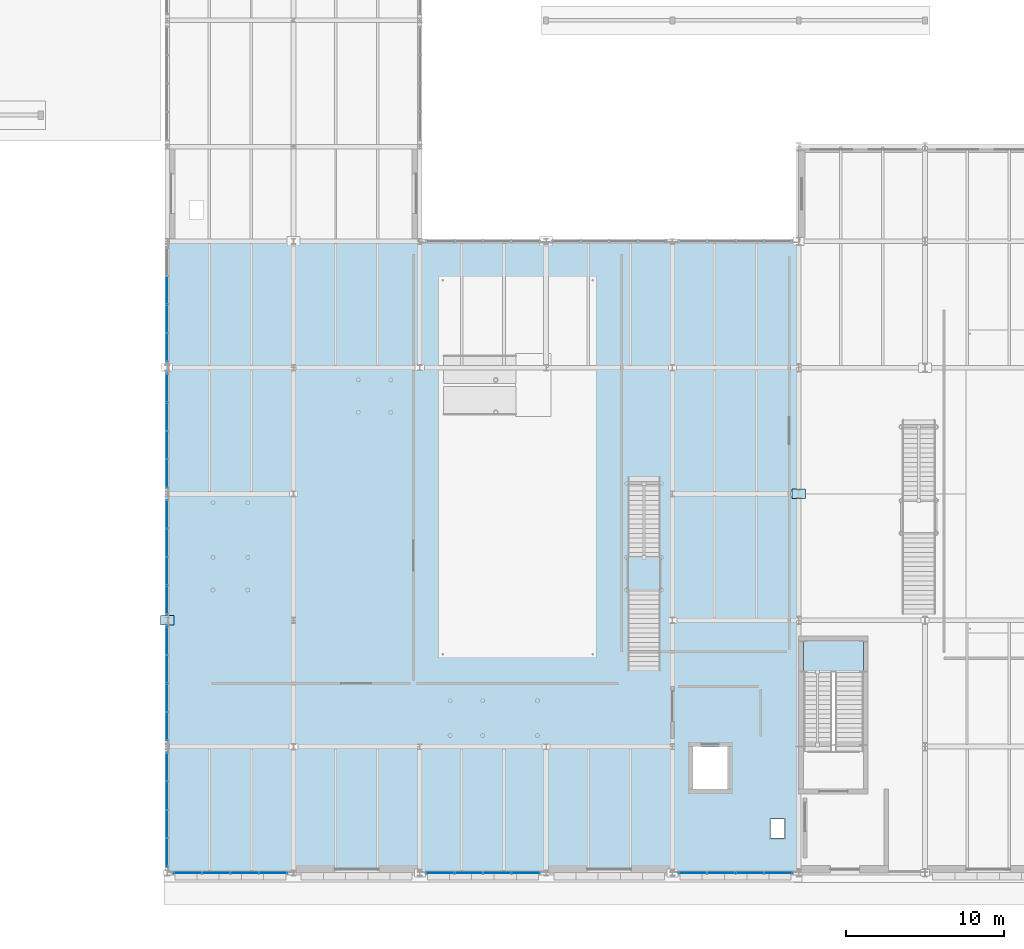
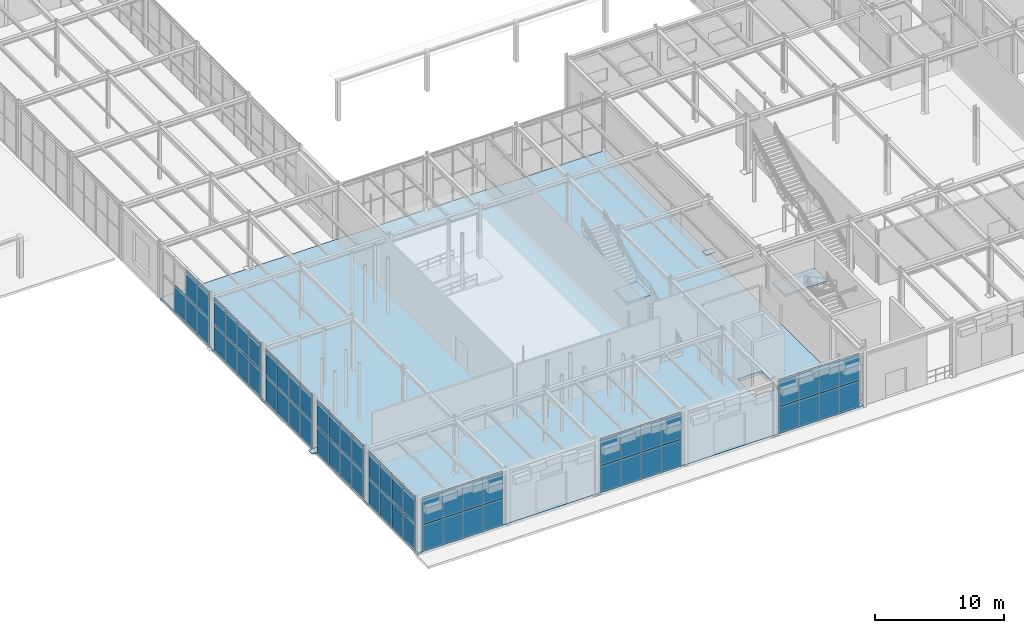
# One storey, part 60 of 129: 63 plates, 3 slabs, 10 elements without a shape of their own.
"""IFC4 building model written with IfcOpenShell, lengths in metres."""

from ifc_helpers import new_model, si_unit, direction, frame, origin, origin_2d, place, context, subcontext, project, spatial, polyline, rectangle, outline, extrude, material, layer, layer_set, type_object, element, aggregate, save


model = new_model("IFC4")

# Units and contexts
model_context = context("Model", 3, precision=1e-05, world=origin(), true_north=direction((0.0, 1.0)))
body_context = subcontext(model_context, "Body", "Model", "MODEL_VIEW")
ifc_project = project(units=[si_unit("LENGTHUNIT", "METRE"), si_unit("AREAUNIT", "SQUARE_METRE"), si_unit("VOLUMEUNIT", "CUBIC_METRE"), si_unit("PLANEANGLEUNIT", "RADIAN"), si_unit("MASSUNIT", "GRAM", prefix="KILO")], contexts=[model_context])

# Site, building, storey
site_placement = place(None, origin())
site = spatial("IfcSite", under=ifc_project, at=site_placement, CompositionType="ELEMENT")
building_placement = place(site_placement, origin())
building = spatial("IfcBuilding", under=site, at=building_placement, Name="Sundkrona Museum", CompositionType="ELEMENT")
storey_placement = place(building_placement, origin())
storey = spatial("IfcBuildingStorey", under=building, at=storey_placement, Name="L00", CompositionType="ELEMENT", Elevation=0.0)

# Plates
ifc_material_1 = material(Name="Steel S355J2", Category="steel")
ifc_layer_1 = layer(ifc_material_1, 0.054931640625)
ifc_layer_set_1 = layer_set([ifc_layer_1], Name="Steel S355J2")
plate_type_1 = type_object("IfcPlateType", Name="BP-1", PredefinedType="USERDEFINED", material=ifc_layer_set_1)
for number, where, z_axis, x_axis, name in (
    (1, (80.0, 16.0, 0.0), (0.0, 0.0, 1.0), (1.0, 0.0, 0.0), "Column Base Plate C/11"),
    (2, (120.0, 24.0, 0.0), (0.0, 0.0, 1.0), (1.0, 0.0, 0.0), "Column Base Plate D/16"),
):
    element("IfcPlate", number, at=place(storey_placement, frame(where, z_axis=z_axis, x_axis=x_axis)), inside=storey, type_object=plate_type_1, Name=name, ObjectType="GUSSET PLATE", PredefinedType="USERDEFINED", context=body_context, shape_type="SweptSolid", body=[
        extrude(rectangle(XDim=0.840087890625, YDim=0.60009765625, at=origin_2d()), origin(), (0.0, 0.0, 1.0), 0.054931640625),
    ])

# Curtain wall, plates
ifc_material_2 = material(Name="Unitised Aluminium-Steel and Ceramic-Clad Curtain Walling", Category="steel")
curtain_wall_type = type_object("IfcCurtainWallType", Name="CW-AT-72x50", PredefinedType="NOTDEFINED", material=ifc_material_2)
curtain_wall_1_placement = place(storey_placement, origin())
curtain_wall_1 = element("IfcCurtainWall", 3, at=curtain_wall_1_placement, inside=storey, type_object=curtain_wall_type, Name="L00 Curtain Wall CW-L00-017", PredefinedType="NOTDEFINED")
ifc_material_3 = material(Name="Triple Low-E Vision Glazing 32 mm", Category="glass")
ifc_layer_2 = layer(ifc_material_3, 0.031982421875)
ifc_layer_set_2 = layer_set([ifc_layer_2], Name="Triple Low-E Vision Glazing 32 mm")
plate_type_2 = type_object("IfcPlateType", Name="PN-GL-01", PredefinedType="CURTAIN_PANEL", material=ifc_layer_set_2)
plate_1_placement = place(storey_placement, frame((81.300048828125, 0.0, -0.00390625), z_axis=(0.0, 0.0, 1.0), x_axis=(1.0, 0.0, 0.0)))
plate_1 = element("IfcPlate", 4, at=plate_1_placement, type_object=plate_type_2, Name="CW-L00-017 Panel 01", PredefinedType="CURTAIN_PANEL", context=body_context, shape_type="SweptSolid", body=[
    extrude(rectangle(XDim=1.800048828125, YDim=0.031982421875, at=origin_2d()), origin(), (0.0, 0.0, 1.0), 2.573974609375),
])
plate_2_placement = place(storey_placement, frame((81.300048828125, 0.0, 2.56982421875), z_axis=(0.0, 0.0, 1.0), x_axis=(1.0, 0.0, 0.0)))
plate_2 = element("IfcPlate", 5, at=plate_2_placement, type_object=plate_type_2, Name="CW-L00-017 Panel 02", PredefinedType="CURTAIN_PANEL", context=body_context, shape_type="SweptSolid", body=[
    extrude(rectangle(XDim=1.800048828125, YDim=0.031982421875, at=origin_2d()), origin(), (0.0, 0.0, 1.0), 2.573974609375),
])
plate_3_placement = place(storey_placement, frame((83.10009765625, 0.0, -0.00390625), z_axis=(0.0, 0.0, 1.0), x_axis=(1.0, 0.0, 0.0)))
plate_3 = element("IfcPlate", 6, at=plate_3_placement, type_object=plate_type_2, Name="CW-L00-017 Panel 03", PredefinedType="CURTAIN_PANEL", context=body_context, shape_type="SweptSolid", body=[
    extrude(rectangle(XDim=1.800048828125, YDim=0.031982421875, at=origin_2d()), origin(), (0.0, 0.0, 1.0), 2.573974609375),
])
plate_4_placement = place(storey_placement, frame((83.10009765625, 0.0, 2.56982421875), z_axis=(0.0, 0.0, 1.0), x_axis=(1.0, 0.0, 0.0)))
plate_4 = element("IfcPlate", 7, at=plate_4_placement, type_object=plate_type_2, Name="CW-L00-017 Panel 04", PredefinedType="CURTAIN_PANEL", context=body_context, shape_type="SweptSolid", body=[
    extrude(rectangle(XDim=1.800048828125, YDim=0.031982421875, at=origin_2d()), origin(), (0.0, 0.0, 1.0), 2.573974609375),
])
plate_5_placement = place(storey_placement, frame((84.89990234375, 0.0, -0.00390625), z_axis=(0.0, 0.0, 1.0), x_axis=(1.0, 0.0, 0.0)))
plate_5 = element("IfcPlate", 8, at=plate_5_placement, type_object=plate_type_2, Name="CW-L00-017 Panel 05", PredefinedType="CURTAIN_PANEL", context=body_context, shape_type="SweptSolid", body=[
    extrude(rectangle(XDim=1.800048828125, YDim=0.031982421875, at=origin_2d()), origin(), (0.0, 0.0, 1.0), 2.573974609375),
])
plate_6_placement = place(storey_placement, frame((84.89990234375, 0.0, 2.56982421875), z_axis=(0.0, 0.0, 1.0), x_axis=(1.0, 0.0, 0.0)))
plate_6 = element("IfcPlate", 9, at=plate_6_placement, type_object=plate_type_2, Name="CW-L00-017 Panel 06", PredefinedType="CURTAIN_PANEL", context=body_context, shape_type="SweptSolid", body=[
    extrude(rectangle(XDim=1.800048828125, YDim=0.031982421875, at=origin_2d()), origin(), (0.0, 0.0, 1.0), 2.573974609375),
])
plate_7_placement = place(storey_placement, frame((86.699951171875, 0.0, -0.00390625), z_axis=(0.0, 0.0, 1.0), x_axis=(1.0, 0.0, 0.0)))
plate_7 = element("IfcPlate", 10, at=plate_7_placement, type_object=plate_type_2, Name="CW-L00-017 Panel 07", PredefinedType="CURTAIN_PANEL", context=body_context, shape_type="SweptSolid", body=[
    extrude(rectangle(XDim=1.800048828125, YDim=0.031982421875, at=origin_2d()), origin(), (0.0, 0.0, 1.0), 2.573974609375),
])
plate_8_placement = place(storey_placement, frame((86.699951171875, 0.0, 2.56982421875), z_axis=(0.0, 0.0, 1.0), x_axis=(1.0, 0.0, 0.0)))
plate_8 = element("IfcPlate", 11, at=plate_8_placement, type_object=plate_type_2, Name="CW-L00-017 Panel 08", PredefinedType="CURTAIN_PANEL", context=body_context, shape_type="SweptSolid", body=[
    extrude(rectangle(XDim=1.800048828125, YDim=0.031982421875, at=origin_2d()), origin(), (0.0, 0.0, 1.0), 2.573974609375),
])
aggregate(curtain_wall_1, [plate_1, plate_2, plate_3, plate_4, plate_5, plate_6, plate_7, plate_8])

curtain_wall_2_placement = place(storey_placement, origin())
curtain_wall_2 = element("IfcCurtainWall", 12, at=curtain_wall_2_placement, inside=storey, type_object=curtain_wall_type, Name="L00 Curtain Wall CW-L00-018", PredefinedType="NOTDEFINED")
plate_9_placement = place(storey_placement, frame((97.300048828125, 0.0, -0.00390625), z_axis=(0.0, 0.0, 1.0), x_axis=(1.0, 0.0, 0.0)))
plate_9 = element("IfcPlate", 13, at=plate_9_placement, type_object=plate_type_2, Name="CW-L00-018 Panel 01", PredefinedType="CURTAIN_PANEL", context=body_context, shape_type="SweptSolid", body=[
    extrude(rectangle(XDim=1.800048828125, YDim=0.031982421875, at=origin_2d()), origin(), (0.0, 0.0, 1.0), 2.573974609375),
])
plate_10_placement = place(storey_placement, frame((97.300048828125, 0.0, 2.56982421875), z_axis=(0.0, 0.0, 1.0), x_axis=(1.0, 0.0, 0.0)))
plate_10 = element("IfcPlate", 14, at=plate_10_placement, type_object=plate_type_2, Name="CW-L00-018 Panel 02", PredefinedType="CURTAIN_PANEL", context=body_context, shape_type="SweptSolid", body=[
    extrude(rectangle(XDim=1.800048828125, YDim=0.031982421875, at=origin_2d()), origin(), (0.0, 0.0, 1.0), 2.573974609375),
])
plate_11_placement = place(storey_placement, frame((99.10009765625, 0.0, -0.00390625), z_axis=(0.0, 0.0, 1.0), x_axis=(1.0, 0.0, 0.0)))
plate_11 = element("IfcPlate", 15, at=plate_11_placement, type_object=plate_type_2, Name="CW-L00-018 Panel 03", PredefinedType="CURTAIN_PANEL", context=body_context, shape_type="SweptSolid", body=[
    extrude(rectangle(XDim=1.800048828125, YDim=0.031982421875, at=origin_2d()), origin(), (0.0, 0.0, 1.0), 2.573974609375),
])
plate_12_placement = place(storey_placement, frame((99.10009765625, 0.0, 2.56982421875), z_axis=(0.0, 0.0, 1.0), x_axis=(1.0, 0.0, 0.0)))
plate_12 = element("IfcPlate", 16, at=plate_12_placement, type_object=plate_type_2, Name="CW-L00-018 Panel 04", PredefinedType="CURTAIN_PANEL", context=body_context, shape_type="SweptSolid", body=[
    extrude(rectangle(XDim=1.800048828125, YDim=0.031982421875, at=origin_2d()), origin(), (0.0, 0.0, 1.0), 2.573974609375),
])
plate_13_placement = place(storey_placement, frame((100.89990234375, 0.0, -0.00390625), z_axis=(0.0, 0.0, 1.0), x_axis=(1.0, 0.0, 0.0)))
plate_13 = element("IfcPlate", 17, at=plate_13_placement, type_object=plate_type_2, Name="CW-L00-018 Panel 05", PredefinedType="CURTAIN_PANEL", context=body_context, shape_type="SweptSolid", body=[
    extrude(rectangle(XDim=1.800048828125, YDim=0.031982421875, at=origin_2d()), origin(), (0.0, 0.0, 1.0), 2.573974609375),
])
plate_14_placement = place(storey_placement, frame((100.89990234375, 0.0, 2.56982421875), z_axis=(0.0, 0.0, 1.0), x_axis=(1.0, 0.0, 0.0)))
plate_14 = element("IfcPlate", 18, at=plate_14_placement, type_object=plate_type_2, Name="CW-L00-018 Panel 06", PredefinedType="CURTAIN_PANEL", context=body_context, shape_type="SweptSolid", body=[
    extrude(rectangle(XDim=1.800048828125, YDim=0.031982421875, at=origin_2d()), origin(), (0.0, 0.0, 1.0), 2.573974609375),
])
plate_15_placement = place(storey_placement, frame((102.699951171875, 0.0, -0.00390625), z_axis=(0.0, 0.0, 1.0), x_axis=(1.0, 0.0, 0.0)))
plate_15 = element("IfcPlate", 19, at=plate_15_placement, type_object=plate_type_2, Name="CW-L00-018 Panel 07", PredefinedType="CURTAIN_PANEL", context=body_context, shape_type="SweptSolid", body=[
    extrude(rectangle(XDim=1.800048828125, YDim=0.031982421875, at=origin_2d()), origin(), (0.0, 0.0, 1.0), 2.573974609375),
])
plate_16_placement = place(storey_placement, frame((102.699951171875, 0.0, 2.56982421875), z_axis=(0.0, 0.0, 1.0), x_axis=(1.0, 0.0, 0.0)))
plate_16 = element("IfcPlate", 20, at=plate_16_placement, type_object=plate_type_2, Name="CW-L00-018 Panel 08", PredefinedType="CURTAIN_PANEL", context=body_context, shape_type="SweptSolid", body=[
    extrude(rectangle(XDim=1.800048828125, YDim=0.031982421875, at=origin_2d()), origin(), (0.0, 0.0, 1.0), 2.573974609375),
])
aggregate(curtain_wall_2, [plate_9, plate_10, plate_11, plate_12, plate_13, plate_14, plate_15, plate_16])

curtain_wall_3_placement = place(storey_placement, origin())
curtain_wall_3 = element("IfcCurtainWall", 21, at=curtain_wall_3_placement, inside=storey, type_object=curtain_wall_type, Name="L00 Curtain Wall CW-L00-019", PredefinedType="NOTDEFINED")
plate_17_placement = place(storey_placement, frame((113.300048828125, 0.0, -0.00390625), z_axis=(0.0, 0.0, 1.0), x_axis=(1.0, 0.0, 0.0)))
plate_17 = element("IfcPlate", 22, at=plate_17_placement, type_object=plate_type_2, Name="CW-L00-019 Panel 01", PredefinedType="CURTAIN_PANEL", context=body_context, shape_type="SweptSolid", body=[
    extrude(rectangle(XDim=1.800048828125, YDim=0.031982421875, at=origin_2d()), origin(), (0.0, 0.0, 1.0), 2.573974609375),
])
plate_18_placement = place(storey_placement, frame((113.300048828125, 0.0, 2.56982421875), z_axis=(0.0, 0.0, 1.0), x_axis=(1.0, 0.0, 0.0)))
plate_18 = element("IfcPlate", 23, at=plate_18_placement, type_object=plate_type_2, Name="CW-L00-019 Panel 02", PredefinedType="CURTAIN_PANEL", context=body_context, shape_type="SweptSolid", body=[
    extrude(rectangle(XDim=1.800048828125, YDim=0.031982421875, at=origin_2d()), origin(), (0.0, 0.0, 1.0), 2.573974609375),
])
plate_19_placement = place(storey_placement, frame((115.10009765625, 0.0, -0.00390625), z_axis=(0.0, 0.0, 1.0), x_axis=(1.0, 0.0, 0.0)))
plate_19 = element("IfcPlate", 24, at=plate_19_placement, type_object=plate_type_2, Name="CW-L00-019 Panel 03", PredefinedType="CURTAIN_PANEL", context=body_context, shape_type="SweptSolid", body=[
    extrude(rectangle(XDim=1.800048828125, YDim=0.031982421875, at=origin_2d()), origin(), (0.0, 0.0, 1.0), 2.573974609375),
])
plate_20_placement = place(storey_placement, frame((115.10009765625, 0.0, 2.56982421875), z_axis=(0.0, 0.0, 1.0), x_axis=(1.0, 0.0, 0.0)))
plate_20 = element("IfcPlate", 25, at=plate_20_placement, type_object=plate_type_2, Name="CW-L00-019 Panel 04", PredefinedType="CURTAIN_PANEL", context=body_context, shape_type="SweptSolid", body=[
    extrude(rectangle(XDim=1.800048828125, YDim=0.031982421875, at=origin_2d()), origin(), (0.0, 0.0, 1.0), 2.573974609375),
])
plate_21_placement = place(storey_placement, frame((116.89990234375, 0.0, -0.00390625), z_axis=(0.0, 0.0, 1.0), x_axis=(1.0, 0.0, 0.0)))
plate_21 = element("IfcPlate", 26, at=plate_21_placement, type_object=plate_type_2, Name="CW-L00-019 Panel 05", PredefinedType="CURTAIN_PANEL", context=body_context, shape_type="SweptSolid", body=[
    extrude(rectangle(XDim=1.800048828125, YDim=0.031982421875, at=origin_2d()), origin(), (0.0, 0.0, 1.0), 2.573974609375),
])
plate_22_placement = place(storey_placement, frame((116.89990234375, 0.0, 2.56982421875), z_axis=(0.0, 0.0, 1.0), x_axis=(1.0, 0.0, 0.0)))
plate_22 = element("IfcPlate", 27, at=plate_22_placement, type_object=plate_type_2, Name="CW-L00-019 Panel 06", PredefinedType="CURTAIN_PANEL", context=body_context, shape_type="SweptSolid", body=[
    extrude(rectangle(XDim=1.800048828125, YDim=0.031982421875, at=origin_2d()), origin(), (0.0, 0.0, 1.0), 2.573974609375),
])
plate_23_placement = place(storey_placement, frame((118.699951171875, 0.0, -0.00390625), z_axis=(0.0, 0.0, 1.0), x_axis=(1.0, 0.0, 0.0)))
plate_23 = element("IfcPlate", 28, at=plate_23_placement, type_object=plate_type_2, Name="CW-L00-019 Panel 07", PredefinedType="CURTAIN_PANEL", context=body_context, shape_type="SweptSolid", body=[
    extrude(rectangle(XDim=1.800048828125, YDim=0.031982421875, at=origin_2d()), origin(), (0.0, 0.0, 1.0), 2.573974609375),
])
plate_24_placement = place(storey_placement, frame((118.699951171875, 0.0, 2.56982421875), z_axis=(0.0, 0.0, 1.0), x_axis=(1.0, 0.0, 0.0)))
plate_24 = element("IfcPlate", 29, at=plate_24_placement, type_object=plate_type_2, Name="CW-L00-019 Panel 08", PredefinedType="CURTAIN_PANEL", context=body_context, shape_type="SweptSolid", body=[
    extrude(rectangle(XDim=1.800048828125, YDim=0.031982421875, at=origin_2d()), origin(), (0.0, 0.0, 1.0), 2.573974609375),
])
aggregate(curtain_wall_3, [plate_17, plate_18, plate_19, plate_20, plate_21, plate_22, plate_23, plate_24])

curtain_wall_4_placement = place(storey_placement, origin())
curtain_wall_4 = element("IfcCurtainWall", 30, at=curtain_wall_4_placement, inside=storey, type_object=curtain_wall_type, Name="L00 Curtain Wall CW-L00-020", PredefinedType="NOTDEFINED")
plate_25_placement = place(storey_placement, frame((80.0, 1.300048828125, -0.00390625), z_axis=(0.0, 0.0, 1.0), x_axis=(0.0, 1.0, 0.0)))
plate_25 = element("IfcPlate", 31, at=plate_25_placement, type_object=plate_type_2, Name="CW-L00-020 Panel 01", PredefinedType="CURTAIN_PANEL", context=body_context, shape_type="SweptSolid", body=[
    extrude(rectangle(XDim=1.800048828125, YDim=0.031982421875, at=origin_2d()), origin(), (0.0, 0.0, 1.0), 2.573974609375),
])
plate_26_placement = place(storey_placement, frame((80.0, 1.300048828125, 2.56982421875), z_axis=(0.0, 0.0, 1.0), x_axis=(0.0, 1.0, 0.0)))
plate_26 = element("IfcPlate", 32, at=plate_26_placement, type_object=plate_type_2, Name="CW-L00-020 Panel 02", PredefinedType="CURTAIN_PANEL", context=body_context, shape_type="SweptSolid", body=[
    extrude(rectangle(XDim=1.800048828125, YDim=0.031982421875, at=origin_2d()), origin(), (0.0, 0.0, 1.0), 2.573974609375),
])
plate_27_placement = place(storey_placement, frame((80.0, 3.10009765625, -0.00390625), z_axis=(0.0, 0.0, 1.0), x_axis=(0.0, 1.0, 0.0)))
plate_27 = element("IfcPlate", 33, at=plate_27_placement, type_object=plate_type_2, Name="CW-L00-020 Panel 03", PredefinedType="CURTAIN_PANEL", context=body_context, shape_type="SweptSolid", body=[
    extrude(rectangle(XDim=1.800048828125, YDim=0.031982421875, at=origin_2d()), origin(), (0.0, 0.0, 1.0), 2.573974609375),
])
plate_28_placement = place(storey_placement, frame((80.0, 3.10009765625, 2.56982421875), z_axis=(0.0, 0.0, 1.0), x_axis=(0.0, 1.0, 0.0)))
plate_28 = element("IfcPlate", 34, at=plate_28_placement, type_object=plate_type_2, Name="CW-L00-020 Panel 04", PredefinedType="CURTAIN_PANEL", context=body_context, shape_type="SweptSolid", body=[
    extrude(rectangle(XDim=1.800048828125, YDim=0.031982421875, at=origin_2d()), origin(), (0.0, 0.0, 1.0), 2.573974609375),
])
plate_29_placement = place(storey_placement, frame((80.0, 4.89990234375, -0.00390625), z_axis=(0.0, 0.0, 1.0), x_axis=(0.0, 1.0, 0.0)))
plate_29 = element("IfcPlate", 35, at=plate_29_placement, type_object=plate_type_2, Name="CW-L00-020 Panel 05", PredefinedType="CURTAIN_PANEL", context=body_context, shape_type="SweptSolid", body=[
    extrude(rectangle(XDim=1.800048828125, YDim=0.031982421875, at=origin_2d()), origin(), (0.0, 0.0, 1.0), 2.573974609375),
])
plate_30_placement = place(storey_placement, frame((80.0, 4.89990234375, 2.56982421875), z_axis=(0.0, 0.0, 1.0), x_axis=(0.0, 1.0, 0.0)))
plate_30 = element("IfcPlate", 36, at=plate_30_placement, type_object=plate_type_2, Name="CW-L00-020 Panel 06", PredefinedType="CURTAIN_PANEL", context=body_context, shape_type="SweptSolid", body=[
    extrude(rectangle(XDim=1.800048828125, YDim=0.031982421875, at=origin_2d()), origin(), (0.0, 0.0, 1.0), 2.573974609375),
])
plate_31_placement = place(storey_placement, frame((80.0, 6.699951171875, -0.00390625), z_axis=(0.0, 0.0, 1.0), x_axis=(0.0, 1.0, 0.0)))
plate_31 = element("IfcPlate", 37, at=plate_31_placement, type_object=plate_type_2, Name="CW-L00-020 Panel 07", PredefinedType="CURTAIN_PANEL", context=body_context, shape_type="SweptSolid", body=[
    extrude(rectangle(XDim=1.800048828125, YDim=0.031982421875, at=origin_2d()), origin(), (0.0, 0.0, 1.0), 2.573974609375),
])
plate_32_placement = place(storey_placement, frame((80.0, 6.699951171875, 2.56982421875), z_axis=(0.0, 0.0, 1.0), x_axis=(0.0, 1.0, 0.0)))
plate_32 = element("IfcPlate", 38, at=plate_32_placement, type_object=plate_type_2, Name="CW-L00-020 Panel 08", PredefinedType="CURTAIN_PANEL", context=body_context, shape_type="SweptSolid", body=[
    extrude(rectangle(XDim=1.800048828125, YDim=0.031982421875, at=origin_2d()), origin(), (0.0, 0.0, 1.0), 2.573974609375),
])
aggregate(curtain_wall_4, [plate_25, plate_26, plate_27, plate_28, plate_29, plate_30, plate_31, plate_32])

curtain_wall_5_placement = place(storey_placement, origin())
curtain_wall_5 = element("IfcCurtainWall", 39, at=curtain_wall_5_placement, inside=storey, type_object=curtain_wall_type, Name="L00 Curtain Wall CW-L00-021", PredefinedType="NOTDEFINED")
plate_33_placement = place(storey_placement, frame((80.0, 9.300048828125, -0.00390625), z_axis=(0.0, 0.0, 1.0), x_axis=(0.0, 1.0, 0.0)))
plate_33 = element("IfcPlate", 40, at=plate_33_placement, type_object=plate_type_2, Name="CW-L00-021 Panel 01", PredefinedType="CURTAIN_PANEL", context=body_context, shape_type="SweptSolid", body=[
    extrude(rectangle(XDim=1.800048828125, YDim=0.031982421875, at=origin_2d()), origin(), (0.0, 0.0, 1.0), 2.573974609375),
])
plate_34_placement = place(storey_placement, frame((80.0, 9.300048828125, 2.56982421875), z_axis=(0.0, 0.0, 1.0), x_axis=(0.0, 1.0, 0.0)))
plate_34 = element("IfcPlate", 41, at=plate_34_placement, type_object=plate_type_2, Name="CW-L00-021 Panel 02", PredefinedType="CURTAIN_PANEL", context=body_context, shape_type="SweptSolid", body=[
    extrude(rectangle(XDim=1.800048828125, YDim=0.031982421875, at=origin_2d()), origin(), (0.0, 0.0, 1.0), 2.573974609375),
])
plate_35_placement = place(storey_placement, frame((80.0, 11.10009765625, -0.00390625), z_axis=(0.0, 0.0, 1.0), x_axis=(0.0, 1.0, 0.0)))
plate_35 = element("IfcPlate", 42, at=plate_35_placement, type_object=plate_type_2, Name="CW-L00-021 Panel 03", PredefinedType="CURTAIN_PANEL", context=body_context, shape_type="SweptSolid", body=[
    extrude(rectangle(XDim=1.800048828125, YDim=0.031982421875, at=origin_2d()), origin(), (0.0, 0.0, 1.0), 2.573974609375),
])
plate_36_placement = place(storey_placement, frame((80.0, 11.10009765625, 2.56982421875), z_axis=(0.0, 0.0, 1.0), x_axis=(0.0, 1.0, 0.0)))
plate_36 = element("IfcPlate", 43, at=plate_36_placement, type_object=plate_type_2, Name="CW-L00-021 Panel 04", PredefinedType="CURTAIN_PANEL", context=body_context, shape_type="SweptSolid", body=[
    extrude(rectangle(XDim=1.800048828125, YDim=0.031982421875, at=origin_2d()), origin(), (0.0, 0.0, 1.0), 2.573974609375),
])
plate_37_placement = place(storey_placement, frame((80.0, 12.89990234375, -0.00390625), z_axis=(0.0, 0.0, 1.0), x_axis=(0.0, 1.0, 0.0)))
plate_37 = element("IfcPlate", 44, at=plate_37_placement, type_object=plate_type_2, Name="CW-L00-021 Panel 05", PredefinedType="CURTAIN_PANEL", context=body_context, shape_type="SweptSolid", body=[
    extrude(rectangle(XDim=1.800048828125, YDim=0.031982421875, at=origin_2d()), origin(), (0.0, 0.0, 1.0), 2.573974609375),
])
plate_38_placement = place(storey_placement, frame((80.0, 12.89990234375, 2.56982421875), z_axis=(0.0, 0.0, 1.0), x_axis=(0.0, 1.0, 0.0)))
plate_38 = element("IfcPlate", 45, at=plate_38_placement, type_object=plate_type_2, Name="CW-L00-021 Panel 06", PredefinedType="CURTAIN_PANEL", context=body_context, shape_type="SweptSolid", body=[
    extrude(rectangle(XDim=1.800048828125, YDim=0.031982421875, at=origin_2d()), origin(), (0.0, 0.0, 1.0), 2.573974609375),
])
plate_39_placement = place(storey_placement, frame((80.0, 14.699951171875, -0.00390625), z_axis=(0.0, 0.0, 1.0), x_axis=(0.0, 1.0, 0.0)))
plate_39 = element("IfcPlate", 46, at=plate_39_placement, type_object=plate_type_2, Name="CW-L00-021 Panel 07", PredefinedType="CURTAIN_PANEL", context=body_context, shape_type="SweptSolid", body=[
    extrude(rectangle(XDim=1.800048828125, YDim=0.031982421875, at=origin_2d()), origin(), (0.0, 0.0, 1.0), 2.573974609375),
])
plate_40_placement = place(storey_placement, frame((80.0, 14.699951171875, 2.56982421875), z_axis=(0.0, 0.0, 1.0), x_axis=(0.0, 1.0, 0.0)))
plate_40 = element("IfcPlate", 47, at=plate_40_placement, type_object=plate_type_2, Name="CW-L00-021 Panel 08", PredefinedType="CURTAIN_PANEL", context=body_context, shape_type="SweptSolid", body=[
    extrude(rectangle(XDim=1.800048828125, YDim=0.031982421875, at=origin_2d()), origin(), (0.0, 0.0, 1.0), 2.573974609375),
])
aggregate(curtain_wall_5, [plate_33, plate_34, plate_35, plate_36, plate_37, plate_38, plate_39, plate_40])

curtain_wall_6_placement = place(storey_placement, origin())
curtain_wall_6 = element("IfcCurtainWall", 48, at=curtain_wall_6_placement, inside=storey, type_object=curtain_wall_type, Name="L00 Curtain Wall CW-L00-022", PredefinedType="NOTDEFINED")
plate_41_placement = place(storey_placement, frame((80.0, 17.300048828125, -0.00390625), z_axis=(0.0, 0.0, 1.0), x_axis=(0.0, 1.0, 0.0)))
plate_41 = element("IfcPlate", 49, at=plate_41_placement, type_object=plate_type_2, Name="CW-L00-022 Panel 01", PredefinedType="CURTAIN_PANEL", context=body_context, shape_type="SweptSolid", body=[
    extrude(rectangle(XDim=1.800048828125, YDim=0.031982421875, at=origin_2d()), origin(), (0.0, 0.0, 1.0), 2.573974609375),
])
plate_42_placement = place(storey_placement, frame((80.0, 17.300048828125, 2.56982421875), z_axis=(0.0, 0.0, 1.0), x_axis=(0.0, 1.0, 0.0)))
plate_42 = element("IfcPlate", 50, at=plate_42_placement, type_object=plate_type_2, Name="CW-L00-022 Panel 02", PredefinedType="CURTAIN_PANEL", context=body_context, shape_type="SweptSolid", body=[
    extrude(rectangle(XDim=1.800048828125, YDim=0.031982421875, at=origin_2d()), origin(), (0.0, 0.0, 1.0), 2.573974609375),
])
plate_43_placement = place(storey_placement, frame((80.0, 19.10009765625, -0.00390625), z_axis=(0.0, 0.0, 1.0), x_axis=(0.0, 1.0, 0.0)))
plate_43 = element("IfcPlate", 51, at=plate_43_placement, type_object=plate_type_2, Name="CW-L00-022 Panel 03", PredefinedType="CURTAIN_PANEL", context=body_context, shape_type="SweptSolid", body=[
    extrude(rectangle(XDim=1.800048828125, YDim=0.031982421875, at=origin_2d()), origin(), (0.0, 0.0, 1.0), 2.573974609375),
])
plate_44_placement = place(storey_placement, frame((80.0, 19.10009765625, 2.56982421875), z_axis=(0.0, 0.0, 1.0), x_axis=(0.0, 1.0, 0.0)))
plate_44 = element("IfcPlate", 52, at=plate_44_placement, type_object=plate_type_2, Name="CW-L00-022 Panel 04", PredefinedType="CURTAIN_PANEL", context=body_context, shape_type="SweptSolid", body=[
    extrude(rectangle(XDim=1.800048828125, YDim=0.031982421875, at=origin_2d()), origin(), (0.0, 0.0, 1.0), 2.573974609375),
])
plate_45_placement = place(storey_placement, frame((80.0, 20.89990234375, -0.00390625), z_axis=(0.0, 0.0, 1.0), x_axis=(0.0, 1.0, 0.0)))
plate_45 = element("IfcPlate", 53, at=plate_45_placement, type_object=plate_type_2, Name="CW-L00-022 Panel 05", PredefinedType="CURTAIN_PANEL", context=body_context, shape_type="SweptSolid", body=[
    extrude(rectangle(XDim=1.800048828125, YDim=0.031982421875, at=origin_2d()), origin(), (0.0, 0.0, 1.0), 2.573974609375),
])
plate_46_placement = place(storey_placement, frame((80.0, 20.89990234375, 2.56982421875), z_axis=(0.0, 0.0, 1.0), x_axis=(0.0, 1.0, 0.0)))
plate_46 = element("IfcPlate", 54, at=plate_46_placement, type_object=plate_type_2, Name="CW-L00-022 Panel 06", PredefinedType="CURTAIN_PANEL", context=body_context, shape_type="SweptSolid", body=[
    extrude(rectangle(XDim=1.800048828125, YDim=0.031982421875, at=origin_2d()), origin(), (0.0, 0.0, 1.0), 2.573974609375),
])
plate_47_placement = place(storey_placement, frame((80.0, 22.699951171875, -0.00390625), z_axis=(0.0, 0.0, 1.0), x_axis=(0.0, 1.0, 0.0)))
plate_47 = element("IfcPlate", 55, at=plate_47_placement, type_object=plate_type_2, Name="CW-L00-022 Panel 07", PredefinedType="CURTAIN_PANEL", context=body_context, shape_type="SweptSolid", body=[
    extrude(rectangle(XDim=1.800048828125, YDim=0.031982421875, at=origin_2d()), origin(), (0.0, 0.0, 1.0), 2.573974609375),
])
plate_48_placement = place(storey_placement, frame((80.0, 22.699951171875, 2.56982421875), z_axis=(0.0, 0.0, 1.0), x_axis=(0.0, 1.0, 0.0)))
plate_48 = element("IfcPlate", 56, at=plate_48_placement, type_object=plate_type_2, Name="CW-L00-022 Panel 08", PredefinedType="CURTAIN_PANEL", context=body_context, shape_type="SweptSolid", body=[
    extrude(rectangle(XDim=1.800048828125, YDim=0.031982421875, at=origin_2d()), origin(), (0.0, 0.0, 1.0), 2.573974609375),
])
aggregate(curtain_wall_6, [plate_41, plate_42, plate_43, plate_44, plate_45, plate_46, plate_47, plate_48])

curtain_wall_7_placement = place(storey_placement, origin())
curtain_wall_7 = element("IfcCurtainWall", 57, at=curtain_wall_7_placement, inside=storey, type_object=curtain_wall_type, Name="L00 Curtain Wall CW-L00-023", PredefinedType="NOTDEFINED")
plate_49_placement = place(storey_placement, frame((80.0, 25.300048828125, -0.00390625), z_axis=(0.0, 0.0, 1.0), x_axis=(0.0, 1.0, 0.0)))
plate_49 = element("IfcPlate", 58, at=plate_49_placement, type_object=plate_type_2, Name="CW-L00-023 Panel 01", PredefinedType="CURTAIN_PANEL", context=body_context, shape_type="SweptSolid", body=[
    extrude(rectangle(XDim=1.800048828125, YDim=0.031982421875, at=origin_2d()), origin(), (0.0, 0.0, 1.0), 2.573974609375),
])
plate_50_placement = place(storey_placement, frame((80.0, 25.300048828125, 2.56982421875), z_axis=(0.0, 0.0, 1.0), x_axis=(0.0, 1.0, 0.0)))
plate_50 = element("IfcPlate", 59, at=plate_50_placement, type_object=plate_type_2, Name="CW-L00-023 Panel 02", PredefinedType="CURTAIN_PANEL", context=body_context, shape_type="SweptSolid", body=[
    extrude(rectangle(XDim=1.800048828125, YDim=0.031982421875, at=origin_2d()), origin(), (0.0, 0.0, 1.0), 2.573974609375),
])
plate_51_placement = place(storey_placement, frame((80.0, 27.10009765625, -0.00390625), z_axis=(0.0, 0.0, 1.0), x_axis=(0.0, 1.0, 0.0)))
plate_51 = element("IfcPlate", 60, at=plate_51_placement, type_object=plate_type_2, Name="CW-L00-023 Panel 03", PredefinedType="CURTAIN_PANEL", context=body_context, shape_type="SweptSolid", body=[
    extrude(rectangle(XDim=1.800048828125, YDim=0.031982421875, at=origin_2d()), origin(), (0.0, 0.0, 1.0), 2.573974609375),
])
plate_52_placement = place(storey_placement, frame((80.0, 27.10009765625, 2.56982421875), z_axis=(0.0, 0.0, 1.0), x_axis=(0.0, 1.0, 0.0)))
plate_52 = element("IfcPlate", 61, at=plate_52_placement, type_object=plate_type_2, Name="CW-L00-023 Panel 04", PredefinedType="CURTAIN_PANEL", context=body_context, shape_type="SweptSolid", body=[
    extrude(rectangle(XDim=1.800048828125, YDim=0.031982421875, at=origin_2d()), origin(), (0.0, 0.0, 1.0), 2.573974609375),
])
plate_53_placement = place(storey_placement, frame((80.0, 28.89990234375, -0.00390625), z_axis=(0.0, 0.0, 1.0), x_axis=(0.0, 1.0, 0.0)))
plate_53 = element("IfcPlate", 62, at=plate_53_placement, type_object=plate_type_2, Name="CW-L00-023 Panel 05", PredefinedType="CURTAIN_PANEL", context=body_context, shape_type="SweptSolid", body=[
    extrude(rectangle(XDim=1.800048828125, YDim=0.031982421875, at=origin_2d()), origin(), (0.0, 0.0, 1.0), 2.573974609375),
])
plate_54_placement = place(storey_placement, frame((80.0, 28.89990234375, 2.56982421875), z_axis=(0.0, 0.0, 1.0), x_axis=(0.0, 1.0, 0.0)))
plate_54 = element("IfcPlate", 63, at=plate_54_placement, type_object=plate_type_2, Name="CW-L00-023 Panel 06", PredefinedType="CURTAIN_PANEL", context=body_context, shape_type="SweptSolid", body=[
    extrude(rectangle(XDim=1.800048828125, YDim=0.031982421875, at=origin_2d()), origin(), (0.0, 0.0, 1.0), 2.573974609375),
])
plate_55_placement = place(storey_placement, frame((80.0, 30.699951171875, -0.00390625), z_axis=(0.0, 0.0, 1.0), x_axis=(0.0, 1.0, 0.0)))
plate_55 = element("IfcPlate", 64, at=plate_55_placement, type_object=plate_type_2, Name="CW-L00-023 Panel 07", PredefinedType="CURTAIN_PANEL", context=body_context, shape_type="SweptSolid", body=[
    extrude(rectangle(XDim=1.800048828125, YDim=0.031982421875, at=origin_2d()), origin(), (0.0, 0.0, 1.0), 2.573974609375),
])
plate_56_placement = place(storey_placement, frame((80.0, 30.699951171875, 2.56982421875), z_axis=(0.0, 0.0, 1.0), x_axis=(0.0, 1.0, 0.0)))
plate_56 = element("IfcPlate", 65, at=plate_56_placement, type_object=plate_type_2, Name="CW-L00-023 Panel 08", PredefinedType="CURTAIN_PANEL", context=body_context, shape_type="SweptSolid", body=[
    extrude(rectangle(XDim=1.800048828125, YDim=0.031982421875, at=origin_2d()), origin(), (0.0, 0.0, 1.0), 2.573974609375),
])
aggregate(curtain_wall_7, [plate_49, plate_50, plate_51, plate_52, plate_53, plate_54, plate_55, plate_56])

curtain_wall_8_placement = place(storey_placement, origin())
curtain_wall_8 = element("IfcCurtainWall", 66, at=curtain_wall_8_placement, inside=storey, type_object=curtain_wall_type, Name="L00 Curtain Wall CW-L00-024", PredefinedType="NOTDEFINED")
plate_57_placement = place(storey_placement, frame((80.0, 33.300048828125, -0.00390625), z_axis=(0.0, 0.0, 1.0), x_axis=(0.0, 1.0, 0.0)))
plate_57 = element("IfcPlate", 67, at=plate_57_placement, type_object=plate_type_2, Name="CW-L00-024 Panel 01", PredefinedType="CURTAIN_PANEL", context=body_context, shape_type="SweptSolid", body=[
    extrude(rectangle(XDim=1.800048828125, YDim=0.031982421875, at=origin_2d()), origin(), (0.0, 0.0, 1.0), 2.573974609375),
])
plate_58_placement = place(storey_placement, frame((80.0, 33.300048828125, 2.56982421875), z_axis=(0.0, 0.0, 1.0), x_axis=(0.0, 1.0, 0.0)))
plate_58 = element("IfcPlate", 68, at=plate_58_placement, type_object=plate_type_2, Name="CW-L00-024 Panel 02", PredefinedType="CURTAIN_PANEL", context=body_context, shape_type="SweptSolid", body=[
    extrude(rectangle(XDim=1.800048828125, YDim=0.031982421875, at=origin_2d()), origin(), (0.0, 0.0, 1.0), 2.573974609375),
])
plate_59_placement = place(storey_placement, frame((80.0, 35.10009765625, -0.00390625), z_axis=(0.0, 0.0, 1.0), x_axis=(0.0, 1.0, 0.0)))
plate_59 = element("IfcPlate", 69, at=plate_59_placement, type_object=plate_type_2, Name="CW-L00-024 Panel 03", PredefinedType="CURTAIN_PANEL", context=body_context, shape_type="SweptSolid", body=[
    extrude(rectangle(XDim=1.800048828125, YDim=0.031982421875, at=origin_2d()), origin(), (0.0, 0.0, 1.0), 2.573974609375),
])
plate_60_placement = place(storey_placement, frame((80.0, 35.10009765625, 2.56982421875), z_axis=(0.0, 0.0, 1.0), x_axis=(0.0, 1.0, 0.0)))
plate_60 = element("IfcPlate", 70, at=plate_60_placement, type_object=plate_type_2, Name="CW-L00-024 Panel 04", PredefinedType="CURTAIN_PANEL", context=body_context, shape_type="SweptSolid", body=[
    extrude(rectangle(XDim=1.800048828125, YDim=0.031982421875, at=origin_2d()), origin(), (0.0, 0.0, 1.0), 2.573974609375),
])
plate_61_placement = place(storey_placement, frame((80.0, 36.89990234375, -0.00390625), z_axis=(0.0, 0.0, 1.0), x_axis=(0.0, 1.0, 0.0)))
plate_61 = element("IfcPlate", 71, at=plate_61_placement, type_object=plate_type_2, Name="CW-L00-024 Panel 05", PredefinedType="CURTAIN_PANEL", context=body_context, shape_type="SweptSolid", body=[
    extrude(rectangle(XDim=1.800048828125, YDim=0.031982421875, at=origin_2d()), origin(), (0.0, 0.0, 1.0), 2.573974609375),
])
aggregate(curtain_wall_8, [plate_57, plate_58, plate_59, plate_60, plate_61])

# Slab
ifc_material_4 = material(Name="Concrete C35/45", Category="concrete")
ifc_layer_3 = layer(ifc_material_4, 0.260009765625)
ifc_layer_set_3 = layer_set([ifc_layer_3], Name="Concrete C35/45")
slab_type_1 = type_object("IfcSlabType", Name="SL-FL-260", PredefinedType="FLOOR", material=ifc_layer_set_3)
slab_1_placement = place(storey_placement, frame((0.0, 0.0, -0.260009765625)))
element("IfcSlab", 72, at=slab_1_placement, inside=storey, type_object=slab_type_1, Name="L00 Atrium and education composite floor slab 260 mm (SL-L00-V2A)", PredefinedType="FLOOR", context=body_context, shape_type="SweptSolid", body=[
    extrude(outline(polyline([(80.0, 0.0), (120.0, 0.0), (120.0, 40.0), (80.0, 40.0), (80.0, 0.0)]), holes=[polyline([(118.199951171875, 3.39990234375), (119.10009765625, 3.39990234375), (119.10009765625, 2.199951171875), (118.199951171875, 2.199951171875), (118.199951171875, 3.39990234375)]), polyline([(113.300048828125, 8.0), (115.5, 8.0), (115.5, 5.300048828125), (113.300048828125, 5.300048828125), (113.300048828125, 8.0)])]), origin(), (0.0, 0.0, 1.0), 0.260009765625),
])

# Stair, slab
stair_type_1 = type_object("IfcStairType", Name="ST-DL-540", PredefinedType="HALF_TURN_STAIR", material=ifc_material_4)
stair_1_placement = place(storey_placement, origin())
stair_1 = element("IfcStair", 73, at=stair_1_placement, inside=storey, type_object=stair_type_1, Name="L00 Protected Stair Core ST-2", PredefinedType="HALF_TURN_STAIR")
ifc_layer_4 = layer(ifc_material_4, 0.219970703125)
ifc_layer_set_4 = layer_set([ifc_layer_4], Name="Concrete C35/45")
slab_type_2 = type_object("IfcSlabType", Name="SL-LN-220", PredefinedType="LANDING", material=ifc_layer_set_4)
slab_2_placement = place(storey_placement, frame((0.0, 0.0, 2.47998046875)))
slab_2 = element("IfcSlab", 74, at=slab_2_placement, type_object=slab_type_2, Name="L00 Protected Stair Core ST-2 Landing 1", PredefinedType="LANDING", context=body_context, shape_type="SweptSolid", body=[
    extrude(outline(polyline([(124.10009765625, 12.715087890625), (124.10009765625, 14.699951171875), (120.300048828125, 14.699951171875), (120.300048828125, 12.715087890625), (124.10009765625, 12.715087890625)])), origin(), (0.0, 0.0, 1.0), 0.219970703125),
])
aggregate(stair_1, [slab_2])

ifc_material_5 = material(Name="Steel S355J2 and Terrazzo Treads", Category="steel")
stair_type_2 = type_object("IfcStairType", Name="ST-FS-540", PredefinedType="STRAIGHT_RUN_STAIR", material=ifc_material_5)
stair_2_placement = place(storey_placement, origin())
stair_2 = element("IfcStair", 75, at=stair_2_placement, inside=storey, type_object=stair_type_2, Name="L00 Feature Stair FS-1", PredefinedType="STRAIGHT_RUN_STAIR")
slab_3_placement = place(storey_placement, frame((0.0, 0.0, 2.47998046875)))
slab_3 = element("IfcSlab", 76, at=slab_3_placement, type_object=slab_type_2, Name="L00 Feature Stair FS-1 Landing 1", PredefinedType="LANDING", context=body_context, shape_type="SweptSolid", body=[
    extrude(outline(polyline([(111.25, 17.89990234375), (111.25, 20.0), (109.14990234375, 20.0), (109.14990234375, 17.89990234375), (111.25, 17.89990234375)])), origin(), (0.0, 0.0, 1.0), 0.219970703125),
])
aggregate(stair_2, [slab_3])

save(model, "model.ifc")
